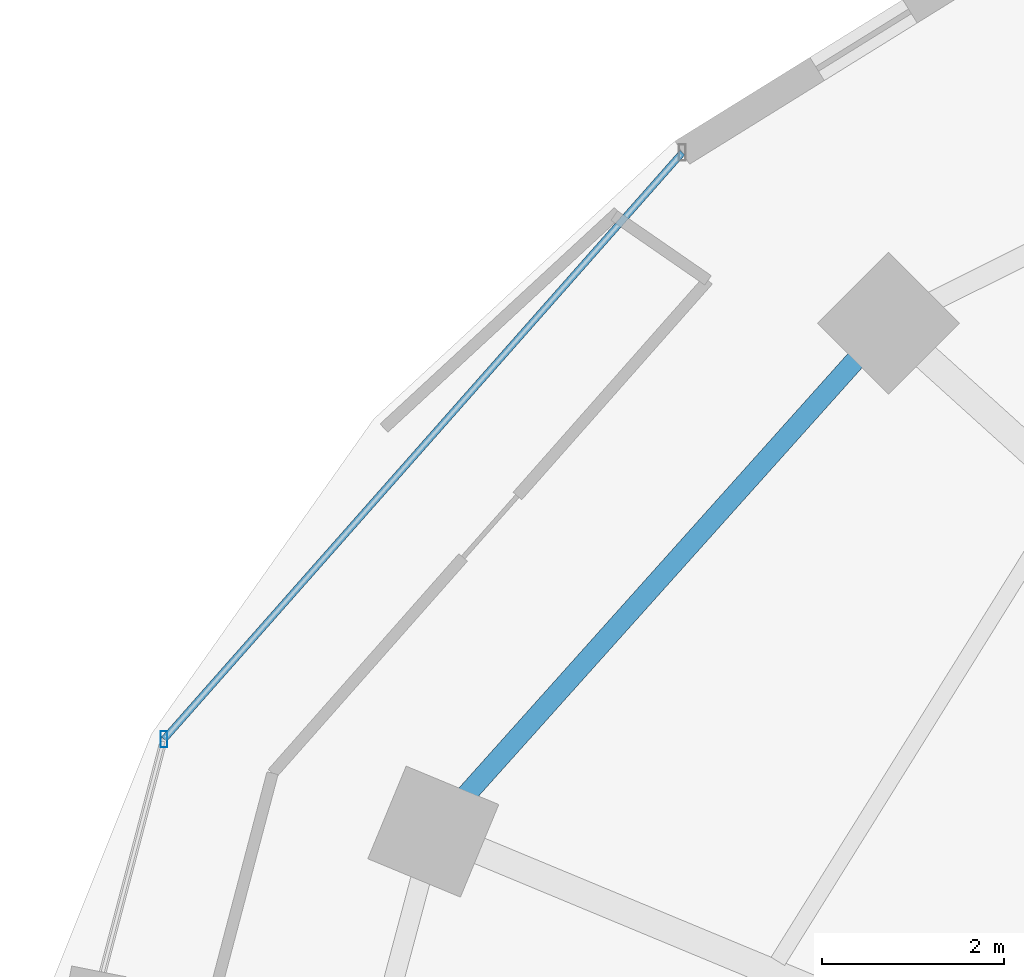
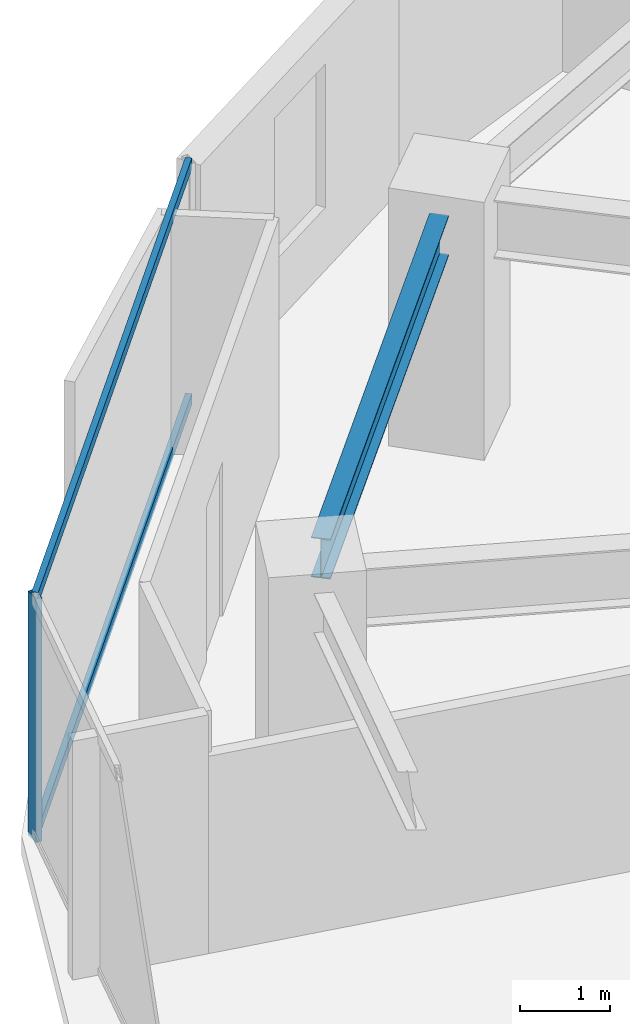
# One storey, part 9 of 29: 3 members, 1 beam, 1 element without a shape of its own.
"""IFC4 building model written with IfcOpenShell, lengths in metres."""

from ifc_helpers import new_model, si_unit, direction, frame, origin, origin_2d, place, context, subcontext, project, spatial, hollow_rectangle, i_section, extrude, material, material_profile, profile_set, type_object, element, aggregate, save


model = new_model("IFC4")

# Units and contexts
model_context = context("Model", 3, precision=1e-05, world=origin(), true_north=direction((0.0, 1.0)))
body_context = subcontext(model_context, "Body", "Model", "MODEL_VIEW")
ifc_project = project(units=[si_unit("LENGTHUNIT", "METRE"), si_unit("AREAUNIT", "SQUARE_METRE"), si_unit("VOLUMEUNIT", "CUBIC_METRE"), si_unit("PLANEANGLEUNIT", "RADIAN"), si_unit("MASSUNIT", "GRAM", prefix="KILO")], contexts=[model_context])

# Site, building, storey
site_placement = place(None, origin())
site = spatial("IfcSite", under=ifc_project, at=site_placement, CompositionType="ELEMENT")
building_placement = place(site_placement, origin())
building = spatial("IfcBuilding", under=site, at=building_placement, Name="Vorneva Point Tower", CompositionType="ELEMENT")
storey_placement = place(building_placement, frame((0.0, 0.0, 82.300048828125)))
storey = spatial("IfcBuildingStorey", under=building, at=storey_placement, Name="L21", CompositionType="ELEMENT", Elevation=82.300048828125)

# Beam
ifc_material_1 = material(Name="Steel S355", Category="steel")
ifc_material_profile_1 = material_profile(ifc_material_1, i_section(OverallWidth=0.219970703125, OverallDepth=0.54296875, WebThickness=0.009521484375, FlangeThickness=0.013427734375, at=origin_2d()), Name="55B1")
ifc_profile_set_1 = profile_set([ifc_material_profile_1], Name="Steel S355")
beam_type = type_object("IfcBeamType", Name="BM-SPN-55B1", PredefinedType="SPANDREL", material=ifc_profile_set_1)
beam_placement = place(storey_placement, frame((21.34423828125, 37.763671875, 2.968505859375), z_axis=(-0.667073815664, -0.744991627105, 0.0), x_axis=(0.744991627105, -0.667073815664, 0.0)))
element("IfcBeam", 1, at=beam_placement, inside=storey, type_object=beam_type, Name="L21 Perimeter Spandrel Ring Beam 07", PredefinedType="SPANDREL", context=body_context, shape_type="SweptSolid", body=[
    extrude(i_section(OverallWidth=0.219970703125, OverallDepth=0.54296875, WebThickness=0.009521484375, FlangeThickness=0.013427734375, at=origin_2d()), origin(), (0.0, 0.0, 1.0), 6.420166015625),
])

# Curtain wall, members
ifc_material_2 = material(Name="Pale anodised aluminium", Category="aluminium")
curtain_wall_type = type_object("IfcCurtainWallType", Name="CW-HTL-SYS", PredefinedType="NOTDEFINED", material=ifc_material_2)
curtain_wall_placement = place(storey_placement, origin())
curtain_wall = element("IfcCurtainWall", 2, at=curtain_wall_placement, inside=storey, type_object=curtain_wall_type, Name="L21 Unitised Curtain Wall CW-L21-R02", PredefinedType="NOTDEFINED")
ifc_material_profile_2 = material_profile(ifc_material_2, hollow_rectangle(XDim=0.074951171875, YDim=0.179931640625, WallThickness=0.00390625, at=origin_2d()), Name="AL-MUL 180x75x4")
ifc_profile_set_2 = profile_set([ifc_material_profile_2], Name="Pale anodised aluminium")
member_type_1 = type_object("IfcMemberType", Name="CW-MUL-180", PredefinedType="MULLION", material=ifc_profile_set_2)
member_1_placement = place(storey_placement, frame((13.748291015625, 33.59619140625, -0.0400390625), z_axis=(0.0, 0.0, 1.0), x_axis=(1.0, 0.0, 0.0)))
member_1 = element("IfcMember", 3, at=member_1_placement, type_object=member_type_1, Name="CW-L21-R02 Mullion 02", PredefinedType="MULLION", context=body_context, shape_type="SweptSolid", body=[
    extrude(hollow_rectangle(XDim=0.074951171875, YDim=0.179931640625, WallThickness=0.00390625, at=origin_2d()), origin(), (0.0, 0.0, 1.0), 3.31005859375),
])
ifc_material_profile_3 = material_profile(ifc_material_2, hollow_rectangle(XDim=0.074951171875, YDim=0.14990234375, WallThickness=0.00390625, at=origin_2d()), Name="AL-TRN 150x75x4")
ifc_profile_set_3 = profile_set([ifc_material_profile_3], Name="Pale anodised aluminium")
member_type_2 = type_object("IfcMemberType", Name="CW-TRN-150", PredefinedType="USERDEFINED", material=ifc_profile_set_3)
member_2_placement = place(storey_placement, frame((19.4384765625, 40.0361328125, 0.02001953125), z_axis=(-0.662137326257, -0.74938251993, 0.0), x_axis=(0.74938251993, -0.662137326257, 0.0)))
member_2 = element("IfcMember", 4, at=member_2_placement, type_object=member_type_2, Name="CW-L21-R02 Transom 01.1", ObjectType="TRANSOM", PredefinedType="USERDEFINED", context=body_context, shape_type="SweptSolid", body=[
    extrude(hollow_rectangle(XDim=0.074951171875, YDim=0.14990234375, WallThickness=0.00390625, at=origin_2d()), origin(), (0.0, 0.0, 1.0), 8.59375),
])
member_3_placement = place(storey_placement, frame((19.4384765625, 40.0361328125, 3.219970703125), z_axis=(-0.662137326257, -0.74938251993, 0.0), x_axis=(0.74938251993, -0.662137326257, 0.0)))
member_3 = element("IfcMember", 5, at=member_3_placement, type_object=member_type_2, Name="CW-L21-R02 Transom 01.2", ObjectType="TRANSOM", PredefinedType="USERDEFINED", context=body_context, shape_type="SweptSolid", body=[
    extrude(hollow_rectangle(XDim=0.074951171875, YDim=0.14990234375, WallThickness=0.00390625, at=origin_2d()), origin(), (0.0, 0.0, 1.0), 8.59375),
])
aggregate(curtain_wall, [member_1, member_2, member_3])

save(model, "model.ifc")
